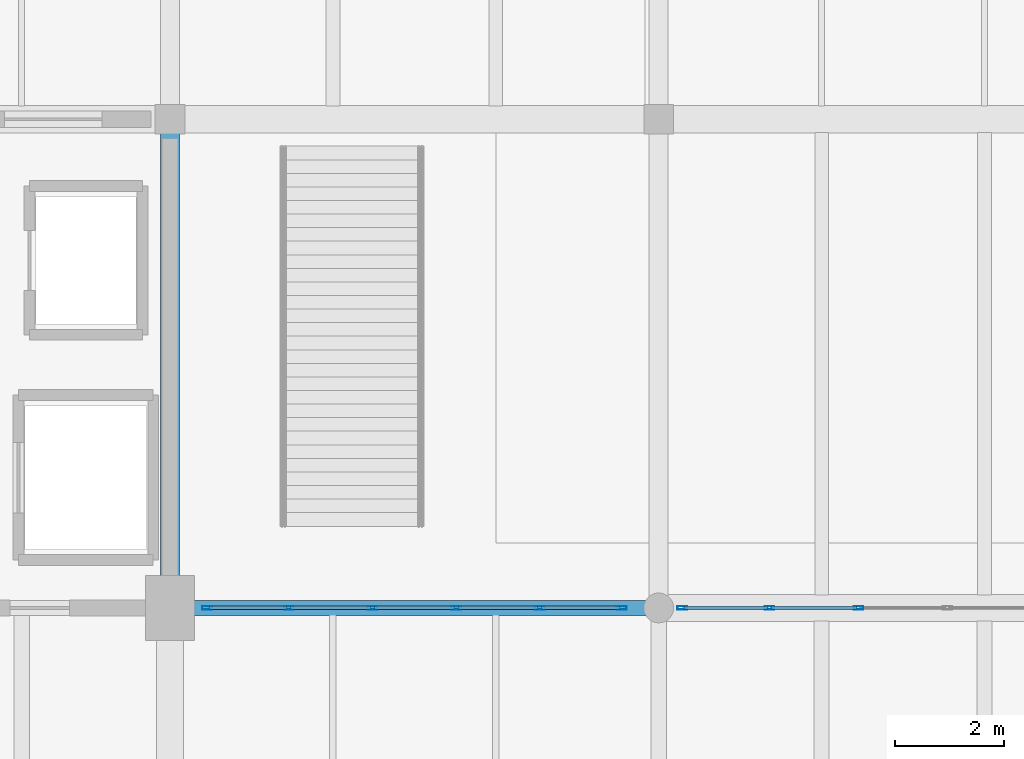
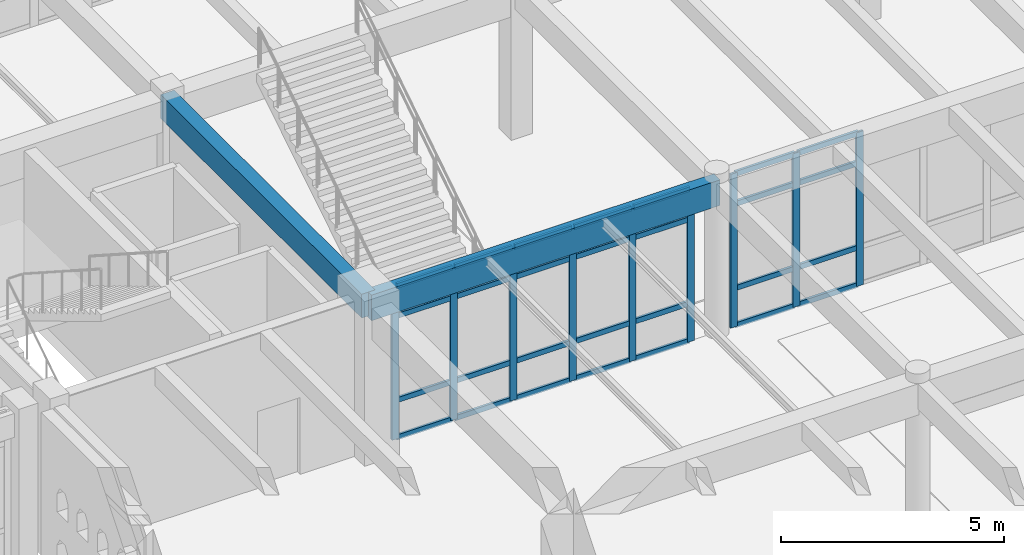
# One storey, part 80 of 186: 37 members, 2 beams, 2 elements without a shape of their own.
"""IFC4 building model written with IfcOpenShell, lengths in metres."""

from ifc_helpers import new_model, si_unit, direction, frame, origin, origin_2d, place, context, subcontext, project, spatial, rectangle, hollow_rectangle, extrude, material, layer, layer_set, material_profile, profile_set, type_object, element, aggregate, save


model = new_model("IFC4")

# Units and contexts
model_context = context("Model", 3, precision=1e-05, world=origin(), true_north=direction((0.0, 1.0)))
body_context = subcontext(model_context, "Body", "Model", "MODEL_VIEW")
ifc_project = project(units=[si_unit("LENGTHUNIT", "METRE"), si_unit("AREAUNIT", "SQUARE_METRE"), si_unit("VOLUMEUNIT", "CUBIC_METRE"), si_unit("PLANEANGLEUNIT", "RADIAN"), si_unit("MASSUNIT", "GRAM", prefix="KILO")], contexts=[model_context])

# Site, building, storey
site_placement = place(None, origin())
site = spatial("IfcSite", under=ifc_project, at=site_placement, CompositionType="ELEMENT")
building_placement = place(site_placement, origin())
building = spatial("IfcBuilding", under=site, at=building_placement, Name="Ornek Quay Market", CompositionType="ELEMENT")
storey_placement = place(building_placement, origin())
storey = spatial("IfcBuildingStorey", under=building, at=storey_placement, Name="L00", CompositionType="ELEMENT", Elevation=0.0)

# Beams
ifc_material_1 = material(Name="Concrete C35/45", Category="concrete")
ifc_material_profile_1 = material_profile(ifc_material_1, rectangle(XDim=0.35009765625, YDim=0.64990234375, at=origin_2d()), Name="RC 350x650", Category="concrete")
ifc_profile_set_1 = profile_set([ifc_material_profile_1], Name="Concrete C35/45")
beam_type_1 = type_object("IfcBeamType", Name="BM-CONC-350x650", PredefinedType="BEAM", material=ifc_profile_set_1)
beam_1_placement = place(storey_placement, frame((63.0, 92.0, 3.9150390625), z_axis=(0.0, 1.0, 0.0), x_axis=(-1.0, 0.0, 0.0)))
element("IfcBeam", 1, at=beam_1_placement, inside=storey, type_object=beam_type_1, Name="Primary beam B-CN1-099", PredefinedType="BEAM", context=body_context, shape_type="SweptSolid", body=[
    extrude(rectangle(XDim=0.35009765625, YDim=0.64990234375, at=origin_2d()), origin(), (0.0, 0.0, 1.0), 9.0),
])
ifc_material_profile_2 = material_profile(ifc_material_1, rectangle(XDim=0.280029296875, YDim=0.699951171875, at=origin_2d()), Name="RC 280x700", Category="concrete")
ifc_profile_set_2 = profile_set([ifc_material_profile_2], Name="Concrete C35/45")
beam_type_2 = type_object("IfcBeamType", Name="BM-SPN-280x700", PredefinedType="SPANDREL", material=ifc_profile_set_2)
beam_2_placement = place(storey_placement, frame((63.0, 92.0, 3.889892578125), z_axis=(1.0, 0.0, 0.0), x_axis=(0.0, 1.0, 0.0)))
element("IfcBeam", 2, at=beam_2_placement, inside=storey, type_object=beam_type_2, Name="Primary beam B-SP2-018", PredefinedType="SPANDREL", context=body_context, shape_type="SweptSolid", body=[
    extrude(rectangle(XDim=0.280029296875, YDim=0.699951171875, at=origin_2d()), origin(), (0.0, 0.0, 1.0), 9.0),
])

# Curtain wall, members
ifc_material_2 = material(Name="Anodised bronze aluminium and triple low-e glass", Category="aluminium")
ifc_layer = layer(ifc_material_2, 0.139892578125, Name="Anodised bronze aluminium and triple low-e glass", Category="aluminium")
ifc_layer_set = layer_set([ifc_layer], Name="Anodised bronze aluminium and triple low-e glass")
curtain_wall_type = type_object("IfcCurtainWallType", Name="CW-GALLERY-INT", PredefinedType="USERDEFINED", material=ifc_layer_set)
curtain_wall_1_placement = place(storey_placement, origin())
curtain_wall_1 = element("IfcCurtainWall", 3, at=curtain_wall_1_placement, inside=storey, type_object=curtain_wall_type, Name="Curtain wall CW-121", ObjectType="CURTAIN WALL", PredefinedType="USERDEFINED")
ifc_material_3 = material(Name="Anodised aluminium 6063-T6", Category="aluminium")
ifc_material_profile_3 = material_profile(ifc_material_3, hollow_rectangle(XDim=0.06494140625, YDim=0.179931640625, WallThickness=0.00439453125, at=origin_2d()), Name="CW-MUL-65x180", Category="aluminium")
ifc_profile_set_3 = profile_set([ifc_material_profile_3], Name="Anodised aluminium 6063-T6")
member_type_1 = type_object("IfcMemberType", Name="CW-MUL-65x180", PredefinedType="MULLION", material=ifc_profile_set_3)
member_1_placement = place(storey_placement, frame((63.6826171875, 92.0, 0.0), z_axis=(0.0, 0.0, 1.0), x_axis=(0.0, 1.0, 0.0)))
member_1 = element("IfcMember", 4, at=member_1_placement, type_object=member_type_1, Name="CW-121 mullion 1", PredefinedType="MULLION", context=body_context, shape_type="SweptSolid", body=[
    extrude(hollow_rectangle(XDim=0.06494140625, YDim=0.179931640625, WallThickness=0.00439453125, at=origin_2d()), origin(), (0.0, 0.0, 1.0), 4.199951171875),
])
member_2_placement = place(storey_placement, frame((65.18994140625, 92.0, 0.0), z_axis=(0.0, 0.0, 1.0), x_axis=(0.0, 1.0, 0.0)))
member_2 = element("IfcMember", 5, at=member_2_placement, type_object=member_type_1, Name="CW-121 mullion 2", PredefinedType="MULLION", context=body_context, shape_type="SweptSolid", body=[
    extrude(hollow_rectangle(XDim=0.06494140625, YDim=0.179931640625, WallThickness=0.00439453125, at=origin_2d()), origin(), (0.0, 0.0, 1.0), 4.199951171875),
])
member_3_placement = place(storey_placement, frame((66.72998046875, 92.0, 0.0), z_axis=(0.0, 0.0, 1.0), x_axis=(0.0, 1.0, 0.0)))
member_3 = element("IfcMember", 6, at=member_3_placement, type_object=member_type_1, Name="CW-121 mullion 3", PredefinedType="MULLION", context=body_context, shape_type="SweptSolid", body=[
    extrude(hollow_rectangle(XDim=0.06494140625, YDim=0.179931640625, WallThickness=0.00439453125, at=origin_2d()), origin(), (0.0, 0.0, 1.0), 4.199951171875),
])
member_4_placement = place(storey_placement, frame((68.27001953125, 92.0, 0.0), z_axis=(0.0, 0.0, 1.0), x_axis=(0.0, 1.0, 0.0)))
member_4 = element("IfcMember", 7, at=member_4_placement, type_object=member_type_1, Name="CW-121 mullion 4", PredefinedType="MULLION", context=body_context, shape_type="SweptSolid", body=[
    extrude(hollow_rectangle(XDim=0.06494140625, YDim=0.179931640625, WallThickness=0.00439453125, at=origin_2d()), origin(), (0.0, 0.0, 1.0), 4.199951171875),
])
member_5_placement = place(storey_placement, frame((69.81005859375, 92.0, 0.0), z_axis=(0.0, 0.0, 1.0), x_axis=(0.0, 1.0, 0.0)))
member_5 = element("IfcMember", 8, at=member_5_placement, type_object=member_type_1, Name="CW-121 mullion 5", PredefinedType="MULLION", context=body_context, shape_type="SweptSolid", body=[
    extrude(hollow_rectangle(XDim=0.06494140625, YDim=0.179931640625, WallThickness=0.00439453125, at=origin_2d()), origin(), (0.0, 0.0, 1.0), 4.199951171875),
])
member_6_placement = place(storey_placement, frame((71.3173828125, 92.0, 0.0), z_axis=(0.0, 0.0, 1.0), x_axis=(0.0, 1.0, 0.0)))
member_6 = element("IfcMember", 9, at=member_6_placement, type_object=member_type_1, Name="CW-121 mullion 6", PredefinedType="MULLION", context=body_context, shape_type="SweptSolid", body=[
    extrude(hollow_rectangle(XDim=0.06494140625, YDim=0.179931640625, WallThickness=0.00439453125, at=origin_2d()), origin(), (0.0, 0.0, 1.0), 4.199951171875),
])

curtain_wall_2_placement = place(storey_placement, origin())
curtain_wall_2 = element("IfcCurtainWall", 10, at=curtain_wall_2_placement, inside=storey, type_object=curtain_wall_type, Name="Curtain wall CW-122", ObjectType="CURTAIN WALL", PredefinedType="USERDEFINED")
member_7_placement = place(storey_placement, frame((72.4326171875, 92.0, 0.0), z_axis=(0.0, 0.0, 1.0), x_axis=(0.0, 1.0, 0.0)))
member_7 = element("IfcMember", 11, at=member_7_placement, type_object=member_type_1, Name="CW-122 mullion 1", PredefinedType="MULLION", context=body_context, shape_type="SweptSolid", body=[
    extrude(hollow_rectangle(XDim=0.06494140625, YDim=0.179931640625, WallThickness=0.00439453125, at=origin_2d()), origin(), (0.0, 0.0, 1.0), 4.199951171875),
])
member_8_placement = place(storey_placement, frame((74.0400390625, 92.0, 0.0), z_axis=(0.0, 0.0, 1.0), x_axis=(0.0, 1.0, 0.0)))
member_8 = element("IfcMember", 12, at=member_8_placement, type_object=member_type_1, Name="CW-122 mullion 2", PredefinedType="MULLION", context=body_context, shape_type="SweptSolid", body=[
    extrude(hollow_rectangle(XDim=0.06494140625, YDim=0.179931640625, WallThickness=0.00439453125, at=origin_2d()), origin(), (0.0, 0.0, 1.0), 4.199951171875),
])
member_9_placement = place(storey_placement, frame((75.679931640625, 92.0, 0.0), z_axis=(0.0, 0.0, 1.0), x_axis=(0.0, 1.0, 0.0)))
member_9 = element("IfcMember", 13, at=member_9_placement, type_object=member_type_1, Name="CW-122 mullion 3", PredefinedType="MULLION", context=body_context, shape_type="SweptSolid", body=[
    extrude(hollow_rectangle(XDim=0.06494140625, YDim=0.179931640625, WallThickness=0.00439453125, at=origin_2d()), origin(), (0.0, 0.0, 1.0), 4.199951171875),
])

# Member
ifc_material_profile_4 = material_profile(ifc_material_3, hollow_rectangle(XDim=0.06494140625, YDim=0.139892578125, WallThickness=0.00439453125, at=origin_2d()), Name="CW-TRN-65x140", Category="aluminium")
ifc_profile_set_4 = profile_set([ifc_material_profile_4], Name="Anodised aluminium 6063-T6")
member_type_2 = type_object("IfcMemberType", Name="CW-TRN-65x140", PredefinedType="USERDEFINED", material=ifc_profile_set_4)
member_10_placement = place(storey_placement, frame((63.715087890625, 92.0, 0.032470703125), z_axis=(1.0, 0.0, 0.0), x_axis=(0.0, 1.0, 0.0)))
member_10 = element("IfcMember", 14, at=member_10_placement, type_object=member_type_2, Name="CW-121 transom 1.1", ObjectType="TRANSOM", PredefinedType="USERDEFINED", context=body_context, shape_type="SweptSolid", body=[
    extrude(hollow_rectangle(XDim=0.06494140625, YDim=0.139892578125, WallThickness=0.00439453125, at=origin_2d()), origin(), (0.0, 0.0, 1.0), 1.4423828125),
])

member_11_placement = place(storey_placement, frame((63.715087890625, 92.0, 1.050048828125), z_axis=(1.0, 0.0, 0.0), x_axis=(0.0, 1.0, 0.0)))
member_11 = element("IfcMember", 15, at=member_11_placement, type_object=member_type_2, Name="CW-121 transom 1.2", ObjectType="TRANSOM", PredefinedType="USERDEFINED", context=body_context, shape_type="SweptSolid", body=[
    extrude(hollow_rectangle(XDim=0.06494140625, YDim=0.139892578125, WallThickness=0.00439453125, at=origin_2d()), origin(), (0.0, 0.0, 1.0), 1.4423828125),
])

member_12_placement = place(storey_placement, frame((63.715087890625, 92.0, 3.35009765625), z_axis=(1.0, 0.0, 0.0), x_axis=(0.0, 1.0, 0.0)))
member_12 = element("IfcMember", 16, at=member_12_placement, type_object=member_type_2, Name="CW-121 transom 1.3", ObjectType="TRANSOM", PredefinedType="USERDEFINED", context=body_context, shape_type="SweptSolid", body=[
    extrude(hollow_rectangle(XDim=0.06494140625, YDim=0.139892578125, WallThickness=0.00439453125, at=origin_2d()), origin(), (0.0, 0.0, 1.0), 1.4423828125),
])

member_13_placement = place(storey_placement, frame((63.715087890625, 92.0, 4.16748046875), z_axis=(1.0, 0.0, 0.0), x_axis=(0.0, 1.0, 0.0)))
member_13 = element("IfcMember", 17, at=member_13_placement, type_object=member_type_2, Name="CW-121 transom 1.4", ObjectType="TRANSOM", PredefinedType="USERDEFINED", context=body_context, shape_type="SweptSolid", body=[
    extrude(hollow_rectangle(XDim=0.06494140625, YDim=0.139892578125, WallThickness=0.00439453125, at=origin_2d()), origin(), (0.0, 0.0, 1.0), 1.4423828125),
])

member_14_placement = place(storey_placement, frame((65.222412109375, 92.0, 0.032470703125), z_axis=(1.0, 0.0, 0.0), x_axis=(0.0, 1.0, 0.0)))
member_14 = element("IfcMember", 18, at=member_14_placement, type_object=member_type_2, Name="CW-121 transom 2.1", ObjectType="TRANSOM", PredefinedType="USERDEFINED", context=body_context, shape_type="SweptSolid", body=[
    extrude(hollow_rectangle(XDim=0.06494140625, YDim=0.139892578125, WallThickness=0.00439453125, at=origin_2d()), origin(), (0.0, 0.0, 1.0), 1.47509765625),
])

member_15_placement = place(storey_placement, frame((65.222412109375, 92.0, 1.050048828125), z_axis=(1.0, 0.0, 0.0), x_axis=(0.0, 1.0, 0.0)))
member_15 = element("IfcMember", 19, at=member_15_placement, type_object=member_type_2, Name="CW-121 transom 2.2", ObjectType="TRANSOM", PredefinedType="USERDEFINED", context=body_context, shape_type="SweptSolid", body=[
    extrude(hollow_rectangle(XDim=0.06494140625, YDim=0.139892578125, WallThickness=0.00439453125, at=origin_2d()), origin(), (0.0, 0.0, 1.0), 1.47509765625),
])

member_16_placement = place(storey_placement, frame((65.222412109375, 92.0, 3.35009765625), z_axis=(1.0, 0.0, 0.0), x_axis=(0.0, 1.0, 0.0)))
member_16 = element("IfcMember", 20, at=member_16_placement, type_object=member_type_2, Name="CW-121 transom 2.3", ObjectType="TRANSOM", PredefinedType="USERDEFINED", context=body_context, shape_type="SweptSolid", body=[
    extrude(hollow_rectangle(XDim=0.06494140625, YDim=0.139892578125, WallThickness=0.00439453125, at=origin_2d()), origin(), (0.0, 0.0, 1.0), 1.47509765625),
])

member_17_placement = place(storey_placement, frame((65.222412109375, 92.0, 4.16748046875), z_axis=(1.0, 0.0, 0.0), x_axis=(0.0, 1.0, 0.0)))
member_17 = element("IfcMember", 21, at=member_17_placement, type_object=member_type_2, Name="CW-121 transom 2.4", ObjectType="TRANSOM", PredefinedType="USERDEFINED", context=body_context, shape_type="SweptSolid", body=[
    extrude(hollow_rectangle(XDim=0.06494140625, YDim=0.139892578125, WallThickness=0.00439453125, at=origin_2d()), origin(), (0.0, 0.0, 1.0), 1.47509765625),
])

member_18_placement = place(storey_placement, frame((66.762451171875, 92.0, 0.032470703125), z_axis=(1.0, 0.0, 0.0), x_axis=(0.0, 1.0, 0.0)))
member_18 = element("IfcMember", 22, at=member_18_placement, type_object=member_type_2, Name="CW-121 transom 3.1", ObjectType="TRANSOM", PredefinedType="USERDEFINED", context=body_context, shape_type="SweptSolid", body=[
    extrude(hollow_rectangle(XDim=0.06494140625, YDim=0.139892578125, WallThickness=0.00439453125, at=origin_2d()), origin(), (0.0, 0.0, 1.0), 1.47509765625),
])

member_19_placement = place(storey_placement, frame((66.762451171875, 92.0, 1.050048828125), z_axis=(1.0, 0.0, 0.0), x_axis=(0.0, 1.0, 0.0)))
member_19 = element("IfcMember", 23, at=member_19_placement, type_object=member_type_2, Name="CW-121 transom 3.2", ObjectType="TRANSOM", PredefinedType="USERDEFINED", context=body_context, shape_type="SweptSolid", body=[
    extrude(hollow_rectangle(XDim=0.06494140625, YDim=0.139892578125, WallThickness=0.00439453125, at=origin_2d()), origin(), (0.0, 0.0, 1.0), 1.47509765625),
])

member_20_placement = place(storey_placement, frame((66.762451171875, 92.0, 3.35009765625), z_axis=(1.0, 0.0, 0.0), x_axis=(0.0, 1.0, 0.0)))
member_20 = element("IfcMember", 24, at=member_20_placement, type_object=member_type_2, Name="CW-121 transom 3.3", ObjectType="TRANSOM", PredefinedType="USERDEFINED", context=body_context, shape_type="SweptSolid", body=[
    extrude(hollow_rectangle(XDim=0.06494140625, YDim=0.139892578125, WallThickness=0.00439453125, at=origin_2d()), origin(), (0.0, 0.0, 1.0), 1.47509765625),
])

member_21_placement = place(storey_placement, frame((66.762451171875, 92.0, 4.16748046875), z_axis=(1.0, 0.0, 0.0), x_axis=(0.0, 1.0, 0.0)))
member_21 = element("IfcMember", 25, at=member_21_placement, type_object=member_type_2, Name="CW-121 transom 3.4", ObjectType="TRANSOM", PredefinedType="USERDEFINED", context=body_context, shape_type="SweptSolid", body=[
    extrude(hollow_rectangle(XDim=0.06494140625, YDim=0.139892578125, WallThickness=0.00439453125, at=origin_2d()), origin(), (0.0, 0.0, 1.0), 1.47509765625),
])

member_22_placement = place(storey_placement, frame((68.302490234375, 92.0, 0.032470703125), z_axis=(1.0, 0.0, 0.0), x_axis=(0.0, 1.0, 0.0)))
member_22 = element("IfcMember", 26, at=member_22_placement, type_object=member_type_2, Name="CW-121 transom 4.1", ObjectType="TRANSOM", PredefinedType="USERDEFINED", context=body_context, shape_type="SweptSolid", body=[
    extrude(hollow_rectangle(XDim=0.06494140625, YDim=0.139892578125, WallThickness=0.00439453125, at=origin_2d()), origin(), (0.0, 0.0, 1.0), 1.47509765625),
])

member_23_placement = place(storey_placement, frame((68.302490234375, 92.0, 1.050048828125), z_axis=(1.0, 0.0, 0.0), x_axis=(0.0, 1.0, 0.0)))
member_23 = element("IfcMember", 27, at=member_23_placement, type_object=member_type_2, Name="CW-121 transom 4.2", ObjectType="TRANSOM", PredefinedType="USERDEFINED", context=body_context, shape_type="SweptSolid", body=[
    extrude(hollow_rectangle(XDim=0.06494140625, YDim=0.139892578125, WallThickness=0.00439453125, at=origin_2d()), origin(), (0.0, 0.0, 1.0), 1.47509765625),
])

member_24_placement = place(storey_placement, frame((68.302490234375, 92.0, 3.35009765625), z_axis=(1.0, 0.0, 0.0), x_axis=(0.0, 1.0, 0.0)))
member_24 = element("IfcMember", 28, at=member_24_placement, type_object=member_type_2, Name="CW-121 transom 4.3", ObjectType="TRANSOM", PredefinedType="USERDEFINED", context=body_context, shape_type="SweptSolid", body=[
    extrude(hollow_rectangle(XDim=0.06494140625, YDim=0.139892578125, WallThickness=0.00439453125, at=origin_2d()), origin(), (0.0, 0.0, 1.0), 1.47509765625),
])

member_25_placement = place(storey_placement, frame((68.302490234375, 92.0, 4.16748046875), z_axis=(1.0, 0.0, 0.0), x_axis=(0.0, 1.0, 0.0)))
member_25 = element("IfcMember", 29, at=member_25_placement, type_object=member_type_2, Name="CW-121 transom 4.4", ObjectType="TRANSOM", PredefinedType="USERDEFINED", context=body_context, shape_type="SweptSolid", body=[
    extrude(hollow_rectangle(XDim=0.06494140625, YDim=0.139892578125, WallThickness=0.00439453125, at=origin_2d()), origin(), (0.0, 0.0, 1.0), 1.47509765625),
])

member_26_placement = place(storey_placement, frame((69.842529296875, 92.0, 0.032470703125), z_axis=(1.0, 0.0, 0.0), x_axis=(0.0, 1.0, 0.0)))
member_26 = element("IfcMember", 30, at=member_26_placement, type_object=member_type_2, Name="CW-121 transom 5.1", ObjectType="TRANSOM", PredefinedType="USERDEFINED", context=body_context, shape_type="SweptSolid", body=[
    extrude(hollow_rectangle(XDim=0.06494140625, YDim=0.139892578125, WallThickness=0.00439453125, at=origin_2d()), origin(), (0.0, 0.0, 1.0), 1.4423828125),
])

member_27_placement = place(storey_placement, frame((69.842529296875, 92.0, 1.050048828125), z_axis=(1.0, 0.0, 0.0), x_axis=(0.0, 1.0, 0.0)))
member_27 = element("IfcMember", 31, at=member_27_placement, type_object=member_type_2, Name="CW-121 transom 5.2", ObjectType="TRANSOM", PredefinedType="USERDEFINED", context=body_context, shape_type="SweptSolid", body=[
    extrude(hollow_rectangle(XDim=0.06494140625, YDim=0.139892578125, WallThickness=0.00439453125, at=origin_2d()), origin(), (0.0, 0.0, 1.0), 1.4423828125),
])

member_28_placement = place(storey_placement, frame((69.842529296875, 92.0, 3.35009765625), z_axis=(1.0, 0.0, 0.0), x_axis=(0.0, 1.0, 0.0)))
member_28 = element("IfcMember", 32, at=member_28_placement, type_object=member_type_2, Name="CW-121 transom 5.3", ObjectType="TRANSOM", PredefinedType="USERDEFINED", context=body_context, shape_type="SweptSolid", body=[
    extrude(hollow_rectangle(XDim=0.06494140625, YDim=0.139892578125, WallThickness=0.00439453125, at=origin_2d()), origin(), (0.0, 0.0, 1.0), 1.4423828125),
])

member_29_placement = place(storey_placement, frame((69.842529296875, 92.0, 4.16748046875), z_axis=(1.0, 0.0, 0.0), x_axis=(0.0, 1.0, 0.0)))
member_29 = element("IfcMember", 33, at=member_29_placement, type_object=member_type_2, Name="CW-121 transom 5.4", ObjectType="TRANSOM", PredefinedType="USERDEFINED", context=body_context, shape_type="SweptSolid", body=[
    extrude(hollow_rectangle(XDim=0.06494140625, YDim=0.139892578125, WallThickness=0.00439453125, at=origin_2d()), origin(), (0.0, 0.0, 1.0), 1.4423828125),
])

aggregate(curtain_wall_1, [member_1, member_2, member_3, member_4, member_5, member_6, member_10, member_11, member_12, member_13, member_14, member_15, member_16, member_17, member_18, member_19, member_20, member_21, member_22, member_23, member_24, member_25, member_26, member_27, member_28, member_29])

member_30_placement = place(storey_placement, frame((72.465087890625, 92.0, 0.032470703125), z_axis=(1.0, 0.0, 0.0), x_axis=(0.0, 1.0, 0.0)))
member_30 = element("IfcMember", 34, at=member_30_placement, type_object=member_type_2, Name="CW-122 transom 1.1", ObjectType="TRANSOM", PredefinedType="USERDEFINED", context=body_context, shape_type="SweptSolid", body=[
    extrude(hollow_rectangle(XDim=0.06494140625, YDim=0.139892578125, WallThickness=0.00439453125, at=origin_2d()), origin(), (0.0, 0.0, 1.0), 1.54248046875),
])

member_31_placement = place(storey_placement, frame((72.465087890625, 92.0, 1.050048828125), z_axis=(1.0, 0.0, 0.0), x_axis=(0.0, 1.0, 0.0)))
member_31 = element("IfcMember", 35, at=member_31_placement, type_object=member_type_2, Name="CW-122 transom 1.2", ObjectType="TRANSOM", PredefinedType="USERDEFINED", context=body_context, shape_type="SweptSolid", body=[
    extrude(hollow_rectangle(XDim=0.06494140625, YDim=0.139892578125, WallThickness=0.00439453125, at=origin_2d()), origin(), (0.0, 0.0, 1.0), 1.54248046875),
])

member_32_placement = place(storey_placement, frame((72.465087890625, 92.0, 3.35009765625), z_axis=(1.0, 0.0, 0.0), x_axis=(0.0, 1.0, 0.0)))
member_32 = element("IfcMember", 36, at=member_32_placement, type_object=member_type_2, Name="CW-122 transom 1.3", ObjectType="TRANSOM", PredefinedType="USERDEFINED", context=body_context, shape_type="SweptSolid", body=[
    extrude(hollow_rectangle(XDim=0.06494140625, YDim=0.139892578125, WallThickness=0.00439453125, at=origin_2d()), origin(), (0.0, 0.0, 1.0), 1.54248046875),
])

member_33_placement = place(storey_placement, frame((72.465087890625, 92.0, 4.16748046875), z_axis=(1.0, 0.0, 0.0), x_axis=(0.0, 1.0, 0.0)))
member_33 = element("IfcMember", 37, at=member_33_placement, type_object=member_type_2, Name="CW-122 transom 1.4", ObjectType="TRANSOM", PredefinedType="USERDEFINED", context=body_context, shape_type="SweptSolid", body=[
    extrude(hollow_rectangle(XDim=0.06494140625, YDim=0.139892578125, WallThickness=0.00439453125, at=origin_2d()), origin(), (0.0, 0.0, 1.0), 1.54248046875),
])

member_34_placement = place(storey_placement, frame((74.072509765625, 92.0, 0.032470703125), z_axis=(1.0, 0.0, 0.0), x_axis=(0.0, 1.0, 0.0)))
member_34 = element("IfcMember", 38, at=member_34_placement, type_object=member_type_2, Name="CW-122 transom 2.1", ObjectType="TRANSOM", PredefinedType="USERDEFINED", context=body_context, shape_type="SweptSolid", body=[
    extrude(hollow_rectangle(XDim=0.06494140625, YDim=0.139892578125, WallThickness=0.00439453125, at=origin_2d()), origin(), (0.0, 0.0, 1.0), 1.574951171875),
])

member_35_placement = place(storey_placement, frame((74.072509765625, 92.0, 1.050048828125), z_axis=(1.0, 0.0, 0.0), x_axis=(0.0, 1.0, 0.0)))
member_35 = element("IfcMember", 39, at=member_35_placement, type_object=member_type_2, Name="CW-122 transom 2.2", ObjectType="TRANSOM", PredefinedType="USERDEFINED", context=body_context, shape_type="SweptSolid", body=[
    extrude(hollow_rectangle(XDim=0.06494140625, YDim=0.139892578125, WallThickness=0.00439453125, at=origin_2d()), origin(), (0.0, 0.0, 1.0), 1.574951171875),
])

member_36_placement = place(storey_placement, frame((74.072509765625, 92.0, 3.35009765625), z_axis=(1.0, 0.0, 0.0), x_axis=(0.0, 1.0, 0.0)))
member_36 = element("IfcMember", 40, at=member_36_placement, type_object=member_type_2, Name="CW-122 transom 2.3", ObjectType="TRANSOM", PredefinedType="USERDEFINED", context=body_context, shape_type="SweptSolid", body=[
    extrude(hollow_rectangle(XDim=0.06494140625, YDim=0.139892578125, WallThickness=0.00439453125, at=origin_2d()), origin(), (0.0, 0.0, 1.0), 1.574951171875),
])

member_37_placement = place(storey_placement, frame((74.072509765625, 92.0, 4.16748046875), z_axis=(1.0, 0.0, 0.0), x_axis=(0.0, 1.0, 0.0)))
member_37 = element("IfcMember", 41, at=member_37_placement, type_object=member_type_2, Name="CW-122 transom 2.4", ObjectType="TRANSOM", PredefinedType="USERDEFINED", context=body_context, shape_type="SweptSolid", body=[
    extrude(hollow_rectangle(XDim=0.06494140625, YDim=0.139892578125, WallThickness=0.00439453125, at=origin_2d()), origin(), (0.0, 0.0, 1.0), 1.574951171875),
])

aggregate(curtain_wall_2, [member_7, member_8, member_9, member_30, member_31, member_32, member_33, member_34, member_35, member_36, member_37])

save(model, "model.ifc")
